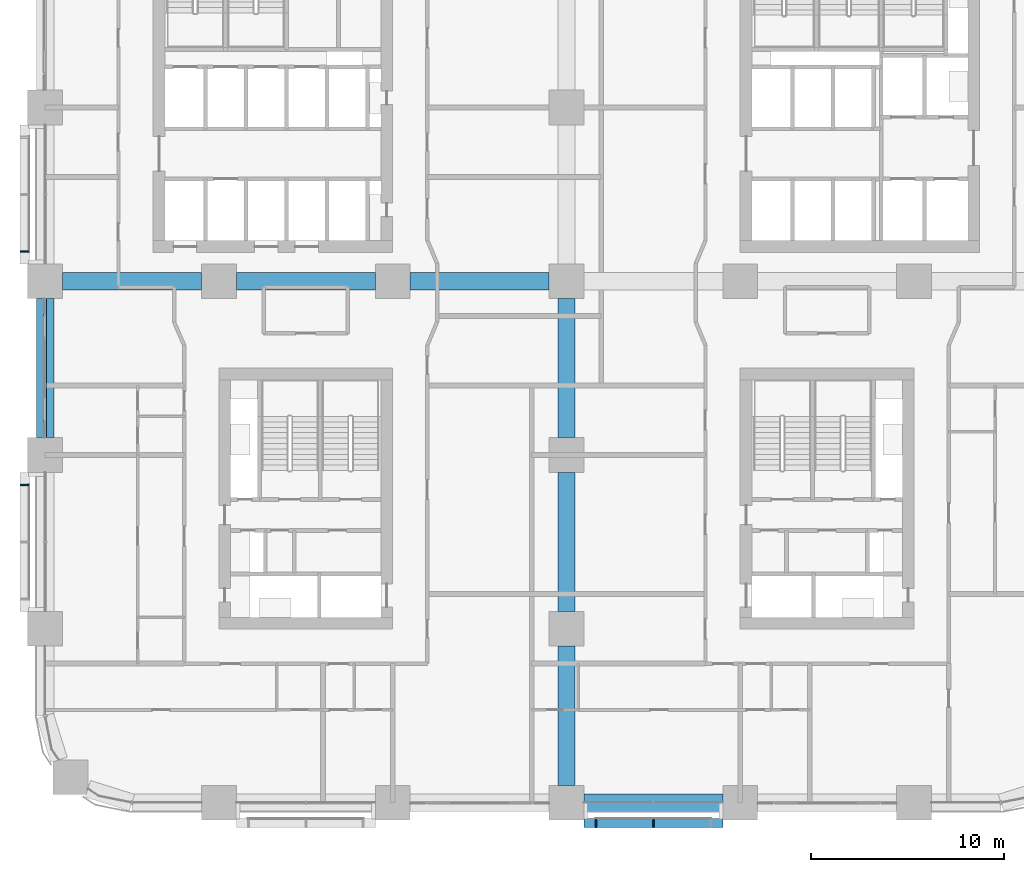
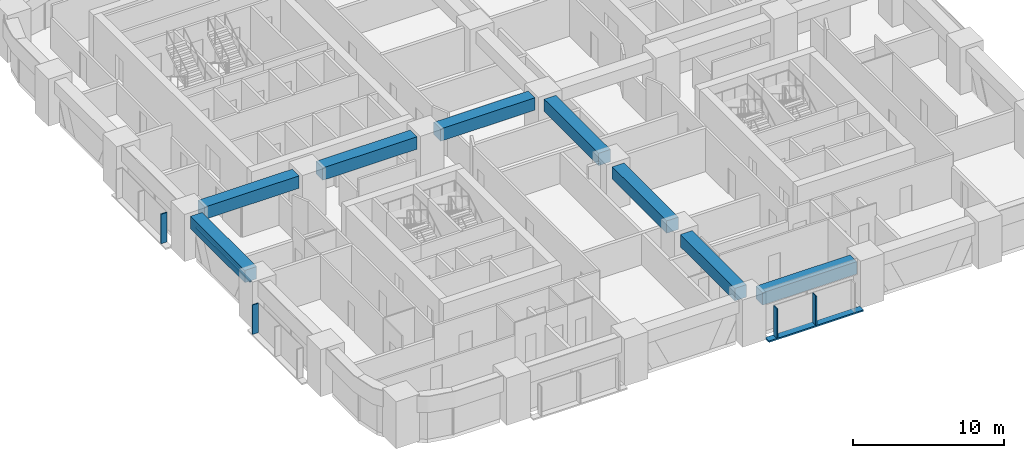
# One storey, part 3 of 23: 9 beams, 5 members, 1 element without a shape of its own.
"""IFC4 building model written with IfcOpenShell, lengths in metres."""

from ifc_helpers import new_model, si_unit, direction, frame, origin, origin_2d, place, context, subcontext, project, spatial, rectangle, extrude, material, material_profile, profile_set, type_object, element, aggregate, save


model = new_model("IFC4")

# Units and contexts
model_context = context("Model", 3, precision=1e-05, world=origin(), true_north=direction((0.0, 1.0)))
body_context = subcontext(model_context, "Body", "Model", "MODEL_VIEW")
ifc_project = project(units=[si_unit("LENGTHUNIT", "METRE"), si_unit("AREAUNIT", "SQUARE_METRE"), si_unit("VOLUMEUNIT", "CUBIC_METRE"), si_unit("PLANEANGLEUNIT", "RADIAN"), si_unit("MASSUNIT", "GRAM", prefix="KILO")], contexts=[model_context])

# Site, building, storey
site_placement = place(None, origin())
site = spatial("IfcSite", under=ifc_project, at=site_placement, CompositionType="ELEMENT")
building_placement = place(site_placement, origin())
building = spatial("IfcBuilding", under=site, at=building_placement, Name="Tessera Arch", CompositionType="ELEMENT")
storey_placement = place(building_placement, frame((0.0, 0.0, 57.60009765625)))
storey = spatial("IfcBuildingStorey", under=building, at=storey_placement, Name="L12", CompositionType="ELEMENT", Elevation=57.60009765625)

# Curtain wall, member
ifc_material_1 = material(Name="CW3 curtain wall")
curtain_wall_type = type_object("IfcCurtainWallType", Name="CW3 curtain wall", PredefinedType="NOTDEFINED", material=ifc_material_1)
curtain_wall_placement = place(storey_placement, origin())
curtain_wall = element("IfcCurtainWall", 1, at=curtain_wall_placement, inside=storey, type_object=curtain_wall_type, Name="CW3 curtain wall W0.0/3 L12", PredefinedType="NOTDEFINED")
ifc_material_2 = material(Name="Anodised aluminium pale metal", Category="aluminium")
ifc_material_profile_1 = material_profile(ifc_material_2, rectangle(XDim=0.139892578125, YDim=0.10009765625, at=origin_2d()), Name="AL 140x100")
ifc_profile_set_1 = profile_set([ifc_material_profile_1], Name="Anodised aluminium pale metal")
member_type_1 = type_object("IfcMemberType", Name="CW3 transom", PredefinedType="USERDEFINED", material=ifc_profile_set_1)
member_placement = place(storey_placement, frame((0.0, 26.10009765625, 2.449951171875), z_axis=(0.0, -1.0, 0.0), x_axis=(1.0, 0.0, 0.0)))
member = element("IfcMember", 2, at=member_placement, type_object=member_type_1, Name="CW3 transom W0.0/3 1.1", ObjectType="TRANSOM", PredefinedType="USERDEFINED", context=body_context, shape_type="SweptSolid", body=[
    extrude(rectangle(XDim=0.139892578125, YDim=0.10009765625, at=origin_2d()), origin(), (0.0, 0.0, 1.0), 7.2001953125),
])
aggregate(curtain_wall, [member])

# Members
ifc_material_3 = material(Name="Anodised aluminium pale metal", Category="aluminium")
ifc_material_profile_2 = material_profile(ifc_material_3, rectangle(XDim=0.449951171875, YDim=0.080078125, at=origin_2d()), Name="AL 80x450")
ifc_profile_set_2 = profile_set([ifc_material_profile_2], Name="Anodised aluminium pale metal")
member_type_2 = type_object("IfcMemberType", Name="Mashrabiya fin", PredefinedType="USERDEFINED", material=ifc_profile_set_2)
for number, where, z_axis, x_axis, name in (
    (3, (28.5400390625, -1.074951171875, 0.119873046875), (0.0, 0.0, 1.0), (0.0, -1.0, 0.0), "FIN mashrabiya S0.0/2 1"),
    (4, (31.5, -1.074951171875, 0.119873046875), (0.0, 0.0, 1.0), (0.0, -1.0, 0.0), "FIN mashrabiya S0.0/2 2"),
    (5, (-1.074951171875, 28.5400390625, 0.119873046875), (0.0, 0.0, 1.0), (-1.0, 0.0, 0.0), "FIN mashrabiya W0.0/2 3"),
    (6, (-1.074951171875, 16.4599609375, 0.119873046875), (0.0, 0.0, 1.0), (-1.0, 0.0, 0.0), "FIN mashrabiya W0.0/4 1"),
):
    element("IfcMember", number, at=place(storey_placement, frame(where, z_axis=z_axis, x_axis=x_axis)), inside=storey, type_object=member_type_2, Name=name, ObjectType="FIN", PredefinedType="USERDEFINED", context=body_context, shape_type="SweptSolid", body=[
        extrude(rectangle(XDim=0.449951171875, YDim=0.080078125, at=origin_2d()), origin(), (0.0, 0.0, 1.0), 2.380126953125),
    ])

# Beams
ifc_material_4 = material(Name="Concrete C80/95", Category="concrete")
ifc_material_profile_3 = material_profile(ifc_material_4, rectangle(XDim=0.89990234375, YDim=1.0, at=origin_2d()), Name="RC spandrel beam 900 x 1000 Concrete C80/95")
ifc_profile_set_3 = profile_set([ifc_material_profile_3], Name="Concrete C80/95")
beam_type_1 = type_object("IfcBeamType", Name="RC spandrel beam 900 x 1000 Concrete C80/95", PredefinedType="BEAM", material=ifc_profile_set_3)
for number, where, z_axis, x_axis, name in (
    (7, (27.89990234375, 0.0, 3.0), (1.0, 0.0, 0.0), (0.0, 1.0, 0.0), "Spandrel beam L12 S0.0/2"),
    (8, (0.0, 26.10009765625, 3.0), (0.0, -1.0, 0.0), (1.0, 0.0, 0.0), "Spandrel beam L12 W0.0/3"),
    (9, (27.0, 0.89990234375, 3.0), (0.0, 1.0, 0.0), (-1.0, 0.0, 0.0), "Interface beam L12 I0C4A-C4B"),
    (10, (27.0, 9.89990234375, 3.0), (0.0, 1.0, 0.0), (-1.0, 0.0, 0.0), "Interface beam L12 I0C4B-C4C"),
    (11, (27.0, 18.89990234375, 3.0), (0.0, 1.0, 0.0), (-1.0, 0.0, 0.0), "Interface beam L12 I0C4C-C4D"),
    (12, (0.89990234375, 27.0, 3.0), (1.0, 0.0, 0.0), (0.0, 1.0, 0.0), "Interface beam L12 I1C1D-C2D"),
    (13, (9.89990234375, 27.0, 3.0), (1.0, 0.0, 0.0), (0.0, 1.0, 0.0), "Interface beam L12 I1C2D-C3D"),
    (14, (18.89990234375, 27.0, 3.0), (1.0, 0.0, 0.0), (0.0, 1.0, 0.0), "Interface beam L12 I1C3D-C4D"),
):
    element("IfcBeam", number, at=place(storey_placement, frame(where, z_axis=z_axis, x_axis=x_axis)), inside=storey, type_object=beam_type_1, Name=name, PredefinedType="BEAM", context=body_context, shape_type="SweptSolid", body=[
        extrude(rectangle(XDim=0.89990234375, YDim=1.0, at=origin_2d()), origin(), (0.0, 0.0, 1.0), 7.2001953125),
    ])
ifc_material_5 = material(Name="Aluminium alloy 6063-T6", Category="aluminium")
ifc_material_profile_4 = material_profile(ifc_material_5, rectangle(XDim=0.489990234375, YDim=0.1201171875, at=origin_2d()), Name="AL 490x120")
ifc_profile_set_4 = profile_set([ifc_material_profile_4], Name="Aluminium alloy 6063-T6")
beam_type_2 = type_object("IfcBeamType", Name="Screen sill beam", PredefinedType="BEAM", material=ifc_profile_set_4)
beam_placement = place(storey_placement, frame((27.89990234375, -1.054931640625, 0.059814453125), z_axis=(1.0, 0.0, 0.0), x_axis=(0.0, 1.0, 0.0)))
element("IfcBeam", 15, at=beam_placement, inside=storey, type_object=beam_type_2, Name="Screen sill beam", PredefinedType="BEAM", context=body_context, shape_type="SweptSolid", body=[
    extrude(rectangle(XDim=0.489990234375, YDim=0.1201171875, at=origin_2d()), origin(), (0.0, 0.0, 1.0), 7.2001953125),
])

save(model, "model.ifc")
